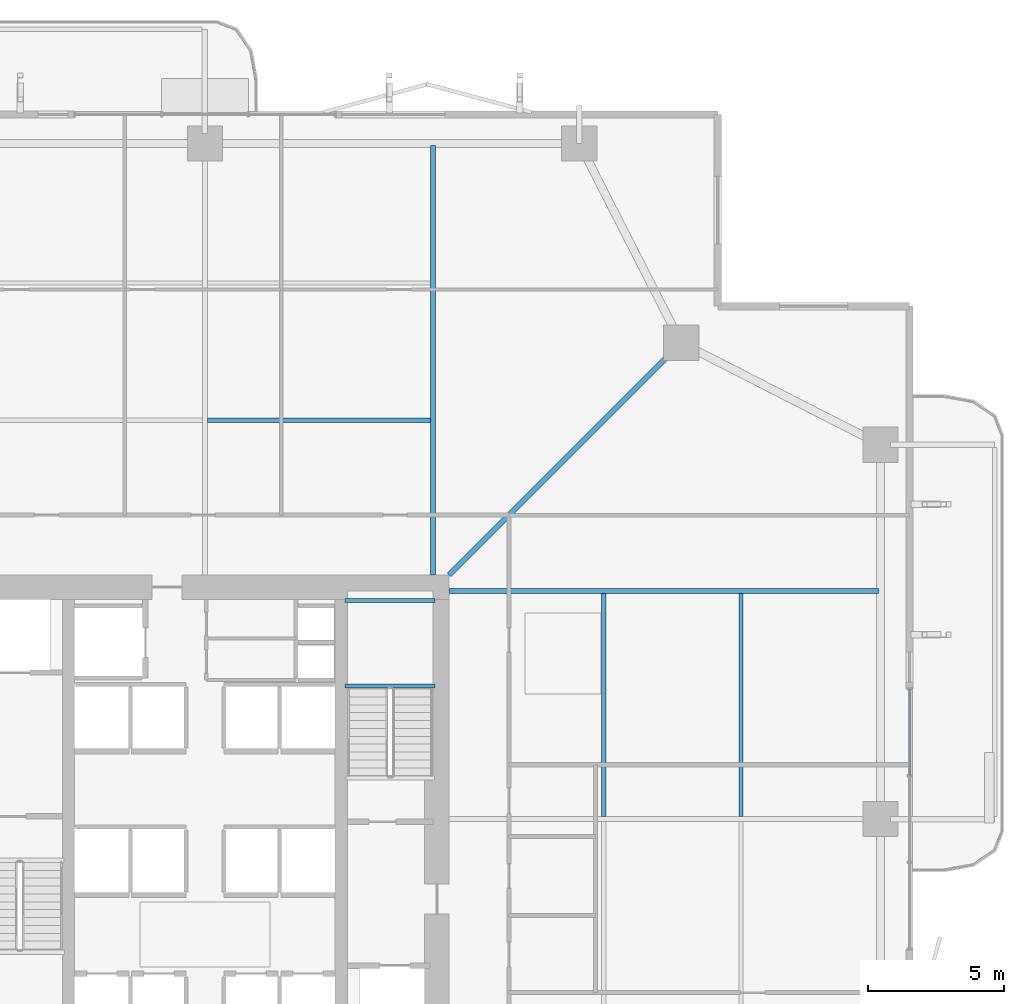
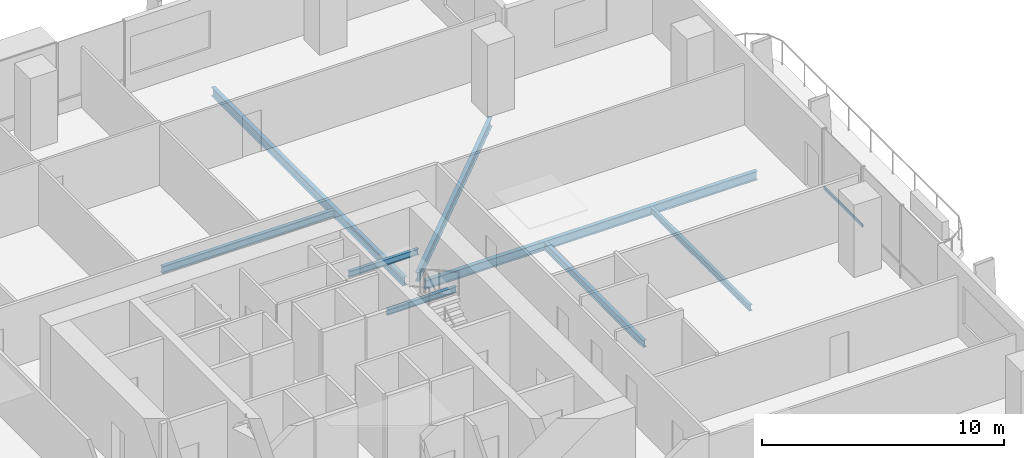
# One storey, part 12 of 24: 8 beams, 1 member, 1 element without a shape of its own.
"""IFC4 building model written with IfcOpenShell, lengths in metres."""

from ifc_helpers import new_model, si_unit, direction, frame, origin, origin_2d, place, context, subcontext, project, spatial, hollow_rectangle, i_section, extrude, material, layer, layer_set, material_profile, profile_set, type_object, element, aggregate, save


model = new_model("IFC4")

# Units and contexts
model_context = context("Model", 3, precision=1e-05, world=origin(), true_north=direction((0.0, 1.0)))
body_context = subcontext(model_context, "Body", "Model", "MODEL_VIEW")
ifc_project = project(units=[si_unit("LENGTHUNIT", "METRE"), si_unit("AREAUNIT", "SQUARE_METRE"), si_unit("VOLUMEUNIT", "CUBIC_METRE"), si_unit("PLANEANGLEUNIT", "RADIAN"), si_unit("MASSUNIT", "GRAM", prefix="KILO")], contexts=[model_context])

# Site, building, storey
site_placement = place(None, origin())
site = spatial("IfcSite", under=ifc_project, at=site_placement, CompositionType="ELEMENT")
building_placement = place(site_placement, origin())
building = spatial("IfcBuilding", under=site, at=building_placement, Name="Belovzor Exchange Tower", CompositionType="ELEMENT")
storey_placement = place(building_placement, frame((0.0, 0.0, 117.300048828125)))
storey = spatial("IfcBuildingStorey", under=building, at=storey_placement, Name="L28", CompositionType="ELEMENT", Elevation=117.300048828125)

# Beams
ifc_material_1 = material(Name="Steel S355", Category="steel")
ifc_material_profile_1 = material_profile(ifc_material_1, i_section(OverallWidth=0.169921875, OverallDepth=0.360107421875, WebThickness=0.008056640625, FlangeThickness=0.0126953125, at=origin_2d()))
ifc_profile_set_1 = profile_set([ifc_material_profile_1], Name="Steel S355")
beam_type_1 = type_object("IfcBeamType", Name="Secondary Infill Floor Joist IPE 360", PredefinedType="BEAM", material=ifc_profile_set_1)
for number, where, z_axis, x_axis, name in (
    (1, (28.89501953125, 43.4970703125, -0.429931640625), (1.0, 0.0, 0.0), (0.0, 1.0, 0.0), "FJ-360 Secondary Infill Floor Joist IPE 360"),
    (2, (43.4970703125, 28.89501953125, -0.429931640625), (0.0, 1.0, 0.0), (-1.0, 0.0, 0.0), "FJ-360 Secondary Infill Floor Joist IPE 360"),
):
    element("IfcBeam", number, at=place(storey_placement, frame(where, z_axis=z_axis, x_axis=x_axis)), inside=storey, type_object=beam_type_1, Name=name, PredefinedType="BEAM", context=body_context, shape_type="SweptSolid", body=[
        extrude(i_section(OverallWidth=0.169921875, OverallDepth=0.360107421875, WebThickness=0.008056640625, FlangeThickness=0.0126953125, at=origin_2d()), origin(), (0.0, 0.0, 1.0), 8.2099609375),
    ])
ifc_material_2 = material(Name="Steel S355", Category="steel")
ifc_material_profile_2 = material_profile(ifc_material_2, i_section(OverallWidth=0.14990234375, OverallDepth=0.300048828125, WebThickness=0.007080078125, FlangeThickness=0.0107421875, at=origin_2d()))
ifc_profile_set_2 = profile_set([ifc_material_profile_2], Name="Steel S355")
beam_type_2 = type_object("IfcBeamType", Name="Secondary Trim Floor Joist IPE 300", PredefinedType="BEAM", material=ifc_profile_set_2)
for number, where, z_axis, x_axis, name in (
    (3, (37.280029296875, 33.7099609375, 1.599853515625), (-1.0, 0.0, 0.0), (0.0, -1.0, 0.0), "FJ-300 Secondary Trim Floor Joist IPE 300"),
    (4, (37.280029296875, 36.85009765625, 1.599853515625), (-1.0, 0.0, 0.0), (0.0, -1.0, 0.0), "FJ-300 Secondary Trim Floor Joist IPE 300"),
):
    element("IfcBeam", number, at=place(storey_placement, frame(where, z_axis=z_axis, x_axis=x_axis)), inside=storey, type_object=beam_type_2, Name=name, PredefinedType="BEAM", context=body_context, shape_type="SweptSolid", body=[
        extrude(i_section(OverallWidth=0.14990234375, OverallDepth=0.300048828125, WebThickness=0.007080078125, FlangeThickness=0.0107421875, at=origin_2d()), origin(), (0.0, 0.0, 1.0), 3.31005859375),
    ])
beam_1_placement = place(storey_placement, frame((48.56103515625, 28.89501953125, -0.400146484375), z_axis=(0.0, 1.0, 0.0), x_axis=(-1.0, 0.0, 0.0)))
element("IfcBeam", 5, at=beam_1_placement, inside=storey, type_object=beam_type_2, Name="FJ-300 Secondary Trim Floor Joist IPE 300", PredefinedType="BEAM", context=body_context, shape_type="SweptSolid", body=[
    extrude(i_section(OverallWidth=0.14990234375, OverallDepth=0.300048828125, WebThickness=0.007080078125, FlangeThickness=0.0107421875, at=origin_2d()), origin(), (0.0, 0.0, 1.0), 8.2099609375),
])

# Curtain wall, member
ifc_material_3 = material(Name="Anodised Aluminium Framing", Category="aluminium")
ifc_layer = layer(ifc_material_3, 0.179931640625)
ifc_layer_set = layer_set([ifc_layer], Name="Anodised Aluminium Framing")
curtain_wall_type = type_object("IfcCurtainWallType", Name="Recessed Loggia Low-Iron Triple-Glazed Curtain Wall", PredefinedType="NOTDEFINED", material=ifc_layer_set)
curtain_wall_placement = place(storey_placement, origin())
curtain_wall = element("IfcCurtainWall", 6, at=curtain_wall_placement, inside=storey, type_object=curtain_wall_type, Name="CW3 Recessed Loggia Low-Iron Triple-Glazed Curtain Wall L28", PredefinedType="NOTDEFINED")
ifc_material_4 = material(Name="Steel S355", Category="steel")
ifc_material_profile_3 = material_profile(ifc_material_4, hollow_rectangle(XDim=0.06005859375, YDim=0.14990234375, WallThickness=0.00390625, at=origin_2d()))
ifc_profile_set_3 = profile_set([ifc_material_profile_3], Name="Steel S355")
member_type = type_object("IfcMemberType", Name="Thermally Broken Curtain Wall Transom 150x60", PredefinedType="USERDEFINED", material=ifc_profile_set_3)
member_placement = place(storey_placement, frame((54.77001953125, 33.592041015625, 0.64990234375), z_axis=(0.0, -1.0, 0.0), x_axis=(1.0, 0.0, 0.0)))
member = element("IfcMember", 7, at=member_placement, type_object=member_type, Name="CW-T150 Curtain Wall Transom 1", ObjectType="TRANSOM", PredefinedType="USERDEFINED", context=body_context, shape_type="SweptSolid", body=[
    extrude(hollow_rectangle(XDim=0.06005859375, YDim=0.14990234375, WallThickness=0.00390625, at=origin_2d()), origin(), (0.0, 0.0, 1.0), 3.18408203125),
])
aggregate(curtain_wall, [member])

# Beams
ifc_material_5 = material(Name="Steel S355", Category="steel")
ifc_material_profile_4 = material_profile(ifc_material_5, i_section(OverallWidth=0.18994140625, OverallDepth=0.449951171875, WebThickness=0.009521484375, FlangeThickness=0.0146484375, at=origin_2d()))
ifc_profile_set_4 = profile_set([ifc_material_profile_4], Name="Steel S355")
beam_type_3 = type_object("IfcBeamType", Name="Zone 2-4 Radial Composite Floor Beam IPE 450", PredefinedType="BEAM", material=ifc_profile_set_4)
for number, where, z_axis, x_axis, name in (
    (8, (37.199951171875, 37.800048828125, -0.47509765625), (0.0, 1.0, 0.0), (-1.0, 0.0, 0.0), "FB-450 Zone 2-4 Radial Composite Floor Beam IPE 450"),
    (9, (37.800048828125, 37.199951171875, -0.47509765625), (1.0, 0.0, 0.0), (0.0, 1.0, 0.0), "FB-450 Zone 2-4 Radial Composite Floor Beam IPE 450"),
):
    element("IfcBeam", number, at=place(storey_placement, frame(where, z_axis=z_axis, x_axis=x_axis)), inside=storey, type_object=beam_type_3, Name=name, PredefinedType="BEAM", context=body_context, shape_type="SweptSolid", body=[
        extrude(i_section(OverallWidth=0.18994140625, OverallDepth=0.449951171875, WebThickness=0.009521484375, FlangeThickness=0.0146484375, at=origin_2d()), origin(), (0.0, 0.0, 1.0), 15.824951171875),
    ])
beam_2_placement = place(storey_placement, frame((37.800048828125, 37.800048828125, -0.47509765625), z_axis=(0.707106781187, 0.707106781187, 0.0), x_axis=(-0.707106781187, 0.707106781187, 0.0)))
element("IfcBeam", 10, at=beam_2_placement, inside=storey, type_object=beam_type_3, Name="FB-450 Zone 2-4 Radial Composite Floor Beam IPE 450", PredefinedType="BEAM", context=body_context, shape_type="SweptSolid", body=[
    extrude(i_section(OverallWidth=0.18994140625, OverallDepth=0.449951171875, WebThickness=0.009521484375, FlangeThickness=0.0146484375, at=origin_2d()), origin(), (0.0, 0.0, 1.0), 11.631591796875),
])

save(model, "model.ifc")
